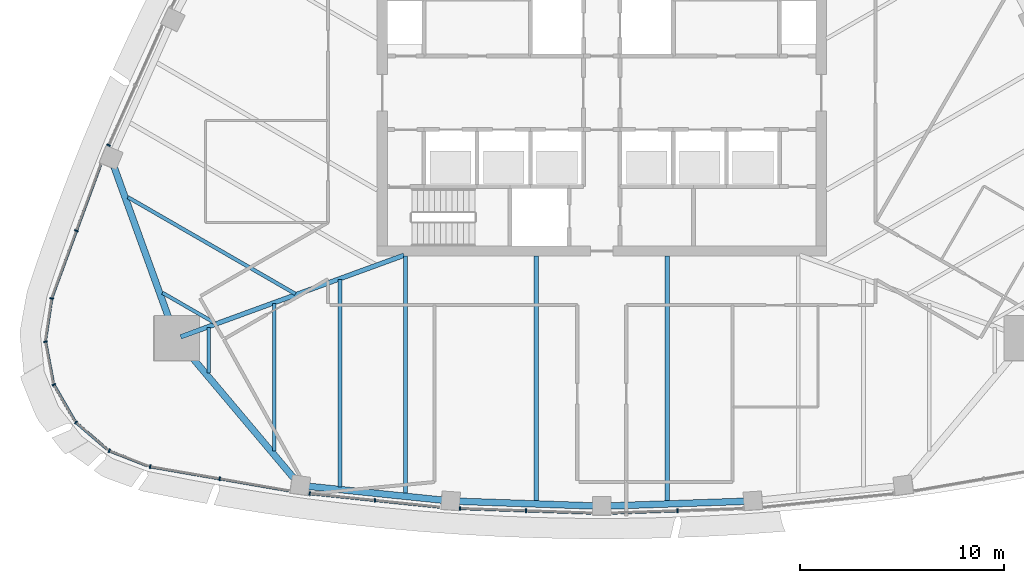
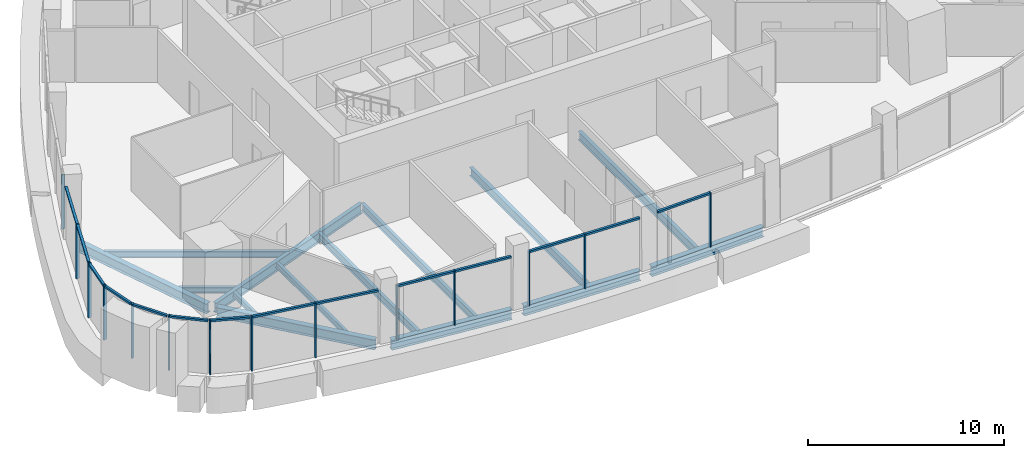
# One storey, part 2 of 15: 28 members, 14 beams, 11 elements without a shape of their own.
"""IFC4 building model written with IfcOpenShell, lengths in metres."""

from ifc_helpers import new_model, si_unit, direction, frame, origin, origin_2d, place, context, subcontext, project, spatial, rectangle, i_section, extrude, material, layer, layer_set, material_profile, profile_set, type_object, element, aggregate, save


model = new_model("IFC4")

# Units and contexts
model_context = context("Model", 3, precision=1e-05, world=origin(), true_north=direction((0.0, 1.0)))
body_context = subcontext(model_context, "Body", "Model", "MODEL_VIEW")
ifc_project = project(units=[si_unit("LENGTHUNIT", "METRE"), si_unit("AREAUNIT", "SQUARE_METRE"), si_unit("VOLUMEUNIT", "CUBIC_METRE"), si_unit("PLANEANGLEUNIT", "RADIAN"), si_unit("MASSUNIT", "GRAM", prefix="KILO")], contexts=[model_context])

# Site, building, storey
site_placement = place(None, origin())
site = spatial("IfcSite", under=ifc_project, at=site_placement, CompositionType="ELEMENT")
building_placement = place(site_placement, origin())
building = spatial("IfcBuilding", under=site, at=building_placement, Name="Sierra Prisma Convention Tower", CompositionType="ELEMENT")
storey_placement = place(building_placement, frame((0.0, 0.0, 283.0)))
storey = spatial("IfcBuildingStorey", under=building, at=storey_placement, Name="L64", CompositionType="ELEMENT", Elevation=283.0)

# Curtain wall, members
ifc_material_1 = material(Name="Aluminium and glass curtain wall", Category="aluminium")
ifc_layer = layer(ifc_material_1, 0.179931640625)
ifc_layer_set = layer_set([ifc_layer], Name="CW-1 Plain shaft curtain wall")
curtain_wall_type = type_object("IfcCurtainWallType", Name="CW-1 Plain shaft curtain wall", PredefinedType="NOTDEFINED", material=ifc_layer_set)
curtain_wall_1_placement = place(storey_placement, origin())
curtain_wall_1 = element("IfcCurtainWall", 1, at=curtain_wall_1_placement, inside=storey, type_object=curtain_wall_type, Name="CW-1 S1 L64", PredefinedType="NOTDEFINED")
ifc_material_2 = material(Name="Aluminium 6063-T6 bronze anodised", Category="aluminium")
ifc_material_profile_1 = material_profile(ifc_material_2, rectangle(XDim=0.179931640625, YDim=0.070068359375, at=origin_2d()), Name="ALU MULLION 70x180")
ifc_profile_set_1 = profile_set([ifc_material_profile_1], Name="Aluminium 6063-T6 bronze anodised")
member_type_1 = type_object("IfcMemberType", Name="CW mullion bronze", PredefinedType="MULLION", material=ifc_profile_set_1)
member_1_placement = place(storey_placement, frame((-22.121826171875, -18.311767578125, 0.0), z_axis=(0.0, 0.0, 1.0), x_axis=(0.171009278371, 0.985269418337, 0.0)))
member_1 = element("IfcMember", 2, at=member_1_placement, type_object=member_type_1, Name="CW-1 mullion S1.1", PredefinedType="MULLION", context=body_context, shape_type="SweptSolid", body=[
    extrude(rectangle(XDim=0.179931640625, YDim=0.070068359375, at=origin_2d()), origin(), (0.0, 0.0, 1.0), 3.39990234375),
])
member_2_placement = place(storey_placement, frame((-18.71435546875, -18.9033203125, 0.0), z_axis=(0.0, 0.0, 1.0), x_axis=(0.171009278371, 0.985269418337, 0.0)))
member_2 = element("IfcMember", 3, at=member_2_placement, type_object=member_type_1, Name="CW-1 mullion S1.2", PredefinedType="MULLION", context=body_context, shape_type="SweptSolid", body=[
    extrude(rectangle(XDim=0.179931640625, YDim=0.070068359375, at=origin_2d()), origin(), (0.0, 0.0, 1.0), 3.39990234375),
])

curtain_wall_2_placement = place(storey_placement, origin())
curtain_wall_2 = element("IfcCurtainWall", 4, at=curtain_wall_2_placement, inside=storey, type_object=curtain_wall_type, Name="CW-1 S2 L64", PredefinedType="NOTDEFINED")
member_3_placement = place(storey_placement, frame((-14.30322265625, -19.632080078125, 0.0), z_axis=(0.0, 0.0, 1.0), x_axis=(0.102929746941, 0.994688628262, 0.0)))
member_3 = element("IfcMember", 5, at=member_3_placement, type_object=member_type_1, Name="CW-1 mullion S2.1", PredefinedType="MULLION", context=body_context, shape_type="SweptSolid", body=[
    extrude(rectangle(XDim=0.179931640625, YDim=0.070068359375, at=origin_2d()), origin(), (0.0, 0.0, 1.0), 3.39990234375),
])
member_4_placement = place(storey_placement, frame((-11.10888671875, -19.962646484375, 0.0), z_axis=(0.0, 0.0, 1.0), x_axis=(0.102929746941, 0.994688628262, 0.0)))
member_4 = element("IfcMember", 6, at=member_4_placement, type_object=member_type_1, Name="CW-1 mullion S2.2", PredefinedType="MULLION", context=body_context, shape_type="SweptSolid", body=[
    extrude(rectangle(XDim=0.179931640625, YDim=0.070068359375, at=origin_2d()), origin(), (0.0, 0.0, 1.0), 3.39990234375),
])

curtain_wall_3_placement = place(storey_placement, origin())
curtain_wall_3 = element("IfcCurtainWall", 7, at=curtain_wall_3_placement, inside=storey, type_object=curtain_wall_type, Name="CW-1 S3 L64", PredefinedType="NOTDEFINED")
member_5_placement = place(storey_placement, frame((-6.935302734375, -20.360107421875, 0.0), z_axis=(0.0, 0.0, 1.0), x_axis=(0.034364022311, 0.999409382571, 0.0)))
member_5 = element("IfcMember", 8, at=member_5_placement, type_object=member_type_1, Name="CW-1 mullion S3.1", PredefinedType="MULLION", context=body_context, shape_type="SweptSolid", body=[
    extrude(rectangle(XDim=0.179931640625, YDim=0.070068359375, at=origin_2d()), origin(), (0.0, 0.0, 1.0), 3.39990234375),
])
member_6_placement = place(storey_placement, frame((-3.7099609375, -20.470947265625, 0.0), z_axis=(0.0, 0.0, 1.0), x_axis=(0.034364022311, 0.999409382571, 0.0)))
member_6 = element("IfcMember", 9, at=member_6_placement, type_object=member_type_1, Name="CW-1 mullion S3.2", PredefinedType="MULLION", context=body_context, shape_type="SweptSolid", body=[
    extrude(rectangle(XDim=0.179931640625, YDim=0.070068359375, at=origin_2d()), origin(), (0.0, 0.0, 1.0), 3.39990234375),
])

# Curtain wall, member
curtain_wall_4_placement = place(storey_placement, origin())
curtain_wall_4 = element("IfcCurtainWall", 10, at=curtain_wall_4_placement, inside=storey, type_object=curtain_wall_type, Name="CW-1 S4 L64", PredefinedType="NOTDEFINED")
member_7_placement = place(storey_placement, frame((3.7099609375, -20.470947265625, 0.0), z_axis=(0.0, 0.0, 1.0), x_axis=(-0.034364022311, 0.999409382571, 0.0)))
member_7 = element("IfcMember", 11, at=member_7_placement, type_object=member_type_1, Name="CW-1 mullion S4.2", PredefinedType="MULLION", context=body_context, shape_type="SweptSolid", body=[
    extrude(rectangle(XDim=0.179931640625, YDim=0.070068359375, at=origin_2d()), origin(), (0.0, 0.0, 1.0), 3.39990234375),
])

curtain_wall_5_placement = place(storey_placement, origin())
curtain_wall_5 = element("IfcCurtainWall", 12, at=curtain_wall_5_placement, inside=storey, type_object=curtain_wall_type, Name="CW-1 NW5 L64", PredefinedType="NOTDEFINED")
member_8_placement = place(storey_placement, frame((-24.153564453125, -2.571044921875, 0.0), z_axis=(0.0, 0.0, 1.0), x_axis=(0.912890494401, -0.408204538475, 0.0)))
member_8 = element("IfcMember", 13, at=member_8_placement, type_object=member_type_1, Name="CW-1 mullion NW5.3", PredefinedType="MULLION", context=body_context, shape_type="SweptSolid", body=[
    extrude(rectangle(XDim=0.179931640625, YDim=0.070068359375, at=origin_2d()), origin(), (0.0, 0.0, 1.0), 3.39990234375),
])
aggregate(curtain_wall_5, [member_8])

curtain_wall_6_placement = place(storey_placement, origin())
curtain_wall_6 = element("IfcCurtainWall", 14, at=curtain_wall_6_placement, inside=storey, type_object=curtain_wall_type, Name="CW-1 NW6 L64", PredefinedType="NOTDEFINED")
member_9_placement = place(storey_placement, frame((-25.72802734375, -6.755615234375, 0.0), z_axis=(0.0, 0.0, 1.0), x_axis=(0.938772985038, -0.344536329817, 0.0)))
member_9 = element("IfcMember", 15, at=member_9_placement, type_object=member_type_1, Name="CW-1 mullion NW6.2", PredefinedType="MULLION", context=body_context, shape_type="SweptSolid", body=[
    extrude(rectangle(XDim=0.179931640625, YDim=0.070068359375, at=origin_2d()), origin(), (0.0, 0.0, 1.0), 3.39990234375),
])

curtain_wall_7_placement = place(storey_placement, origin())
curtain_wall_7 = element("IfcCurtainWall", 16, at=curtain_wall_7_placement, inside=storey, type_object=curtain_wall_type, Name="CW-1 SW1 L64", PredefinedType="NOTDEFINED")
member_10_placement = place(storey_placement, frame((-26.936767578125, -10.069580078125, 0.0), z_axis=(0.0, 0.0, 1.0), x_axis=(0.988893362493, -0.148626772882, 0.0)))
member_10 = element("IfcMember", 17, at=member_10_placement, type_object=member_type_1, Name="CW-1 mullion SW1.1", PredefinedType="MULLION", context=body_context, shape_type="SweptSolid", body=[
    extrude(rectangle(XDim=0.179931640625, YDim=0.070068359375, at=origin_2d()), origin(), (0.0, 0.0, 1.0), 3.39990234375),
])

curtain_wall_8_placement = place(storey_placement, origin())
curtain_wall_8 = element("IfcCurtainWall", 18, at=curtain_wall_8_placement, inside=storey, type_object=curtain_wall_type, Name="CW-1 SW2 L64", PredefinedType="NOTDEFINED")
member_11_placement = place(storey_placement, frame((-27.243896484375, -12.190673828125, 0.0), z_axis=(0.0, 0.0, 1.0), x_axis=(0.982527394019, 0.186118027077, 0.0)))
member_11 = element("IfcMember", 19, at=member_11_placement, type_object=member_type_1, Name="CW-1 mullion SW2.1", PredefinedType="MULLION", context=body_context, shape_type="SweptSolid", body=[
    extrude(rectangle(XDim=0.179931640625, YDim=0.070068359375, at=origin_2d()), origin(), (0.0, 0.0, 1.0), 3.39990234375),
])

curtain_wall_9_placement = place(storey_placement, origin())
curtain_wall_9 = element("IfcCurtainWall", 20, at=curtain_wall_9_placement, inside=storey, type_object=curtain_wall_type, Name="CW-1 SW3 L64", PredefinedType="NOTDEFINED")
member_12_placement = place(storey_placement, frame((-26.83349609375, -14.294189453125, 0.0), z_axis=(0.0, 0.0, 1.0), x_axis=(0.866025403784, 0.5, 0.0)))
member_12 = element("IfcMember", 21, at=member_12_placement, type_object=member_type_1, Name="CW-1 mullion SW3.1", PredefinedType="MULLION", context=body_context, shape_type="SweptSolid", body=[
    extrude(rectangle(XDim=0.179931640625, YDim=0.070068359375, at=origin_2d()), origin(), (0.0, 0.0, 1.0), 3.39990234375),
])

curtain_wall_10_placement = place(storey_placement, origin())
curtain_wall_10 = element("IfcCurtainWall", 22, at=curtain_wall_10_placement, inside=storey, type_object=curtain_wall_type, Name="CW-1 SW4 L64", PredefinedType="NOTDEFINED")
member_13_placement = place(storey_placement, frame((-25.751953125, -16.14453125, 0.0), z_axis=(0.0, 0.0, 1.0), x_axis=(0.652446636561, 0.757834669595, 0.0)))
member_13 = element("IfcMember", 23, at=member_13_placement, type_object=member_type_1, Name="CW-1 mullion SW4.1", PredefinedType="MULLION", context=body_context, shape_type="SweptSolid", body=[
    extrude(rectangle(XDim=0.179931640625, YDim=0.070068359375, at=origin_2d()), origin(), (0.0, 0.0, 1.0), 3.39990234375),
])

curtain_wall_11_placement = place(storey_placement, origin())
curtain_wall_11 = element("IfcCurtainWall", 24, at=curtain_wall_11_placement, inside=storey, type_object=curtain_wall_type, Name="CW-1 SW5 L64", PredefinedType="NOTDEFINED")
member_14_placement = place(storey_placement, frame((-24.1201171875, -17.5341796875, 0.0), z_axis=(0.0, 0.0, 1.0), x_axis=(0.365732120249, 0.930720159994, 0.0)))
member_14 = element("IfcMember", 25, at=member_14_placement, type_object=member_type_1, Name="CW-1 mullion SW5.1", PredefinedType="MULLION", context=body_context, shape_type="SweptSolid", body=[
    extrude(rectangle(XDim=0.179931640625, YDim=0.070068359375, at=origin_2d()), origin(), (0.0, 0.0, 1.0), 3.39990234375),
])

# Member
ifc_material_3 = material(Name="Aluminium 6063-T6 bronze anodised", Category="aluminium")
ifc_material_profile_2 = material_profile(ifc_material_3, rectangle(XDim=0.139892578125, YDim=0.1201171875, at=origin_2d()), Name="ALU TRANSOM 120x140")
ifc_profile_set_2 = profile_set([ifc_material_profile_2], Name="Aluminium 6063-T6 bronze anodised")
member_type_2 = type_object("IfcMemberType", Name="CW transom bronze", PredefinedType="USERDEFINED", material=ifc_profile_set_2)
member_15_placement = place(storey_placement, frame((-22.08740234375, -18.31787109375, 3.340087890625), z_axis=(0.985273564925, -0.170985386103, 0.0), x_axis=(0.170985386103, 0.985273564925, 0.0)))
member_15 = element("IfcMember", 26, at=member_15_placement, type_object=member_type_2, Name="CW-1 transom S1.1", ObjectType="TRANSOM", PredefinedType="USERDEFINED", context=body_context, shape_type="SweptSolid", body=[
    extrude(rectangle(XDim=0.139892578125, YDim=0.1201171875, at=origin_2d()), origin(), (0.0, 0.0, 1.0), 3.38818359375),
])

member_16_placement = place(storey_placement, frame((-18.679931640625, -18.9091796875, 3.340087890625), z_axis=(0.985261423754, -0.171055332748, 0.0), x_axis=(0.171055332748, 0.985261423754, 0.0)))
member_16 = element("IfcMember", 27, at=member_16_placement, type_object=member_type_2, Name="CW-1 transom S1.2", ObjectType="TRANSOM", PredefinedType="USERDEFINED", context=body_context, shape_type="SweptSolid", body=[
    extrude(rectangle(XDim=0.139892578125, YDim=0.1201171875, at=origin_2d()), origin(), (0.0, 0.0, 1.0), 3.388427734375),
])

aggregate(curtain_wall_1, [member_1, member_2, member_15, member_16])

member_17_placement = place(storey_placement, frame((-14.268310546875, -19.635498046875, 3.340087890625), z_axis=(0.994683286753, -0.102981352942, 0.0), x_axis=(0.102981352942, 0.994683286753, 0.0)))
member_17 = element("IfcMember", 28, at=member_17_placement, type_object=member_type_2, Name="CW-1 transom S2.1", ObjectType="TRANSOM", PredefinedType="USERDEFINED", context=body_context, shape_type="SweptSolid", body=[
    extrude(rectangle(XDim=0.139892578125, YDim=0.1201171875, at=origin_2d()), origin(), (0.0, 0.0, 1.0), 3.14111328125),
])

member_18_placement = place(storey_placement, frame((-11.07421875, -19.966064453125, 3.340087890625), z_axis=(0.994684110909, -0.102973392215, 0.0), x_axis=(0.102973392215, 0.994684110909, 0.0)))
member_18 = element("IfcMember", 29, at=member_18_placement, type_object=member_type_2, Name="CW-1 transom S2.2", ObjectType="TRANSOM", PredefinedType="USERDEFINED", context=body_context, shape_type="SweptSolid", body=[
    extrude(rectangle(XDim=0.139892578125, YDim=0.1201171875, at=origin_2d()), origin(), (0.0, 0.0, 1.0), 3.141357421875),
])

aggregate(curtain_wall_2, [member_3, member_4, member_17, member_18])

member_19_placement = place(storey_placement, frame((-6.900390625, -20.361328125, 3.340087890625), z_axis=(0.999410490677, -0.034331780105, 0.0), x_axis=(0.034331780105, 0.999410490677, 0.0)))
member_19 = element("IfcMember", 30, at=member_19_placement, type_object=member_type_2, Name="CW-1 transom S3.1", ObjectType="TRANSOM", PredefinedType="USERDEFINED", context=body_context, shape_type="SweptSolid", body=[
    extrude(rectangle(XDim=0.139892578125, YDim=0.1201171875, at=origin_2d()), origin(), (0.0, 0.0, 1.0), 3.157470703125),
])

member_20_placement = place(storey_placement, frame((-3.675048828125, -20.47216796875, 3.340087890625), z_axis=(0.99940774304, -0.034411671747, 0.0), x_axis=(0.034411671747, 0.99940774304, 0.0)))
member_20 = element("IfcMember", 31, at=member_20_placement, type_object=member_type_2, Name="CW-1 transom S3.2", ObjectType="TRANSOM", PredefinedType="USERDEFINED", context=body_context, shape_type="SweptSolid", body=[
    extrude(rectangle(XDim=0.139892578125, YDim=0.1201171875, at=origin_2d()), origin(), (0.0, 0.0, 1.0), 3.1572265625),
])

aggregate(curtain_wall_3, [member_5, member_6, member_19, member_20])

member_21_placement = place(storey_placement, frame((0.519775390625, -20.580810546875, 3.340087890625), z_axis=(0.99940774304, 0.034411671747, 0.0), x_axis=(-0.034411671747, 0.99940774304, 0.0)))
member_21 = element("IfcMember", 32, at=member_21_placement, type_object=member_type_2, Name="CW-1 transom S4.1", ObjectType="TRANSOM", PredefinedType="USERDEFINED", context=body_context, shape_type="SweptSolid", body=[
    extrude(rectangle(XDim=0.139892578125, YDim=0.1201171875, at=origin_2d()), origin(), (0.0, 0.0, 1.0), 3.1572265625),
])

aggregate(curtain_wall_4, [member_7, member_21])

member_22_placement = place(storey_placement, frame((-24.548583984375, -3.5419921875, 3.340087890625), z_axis=(-0.344512946681, -0.938781566484, 0.0), x_axis=(0.938781566484, -0.344512946681, 0.0)))
member_22 = element("IfcMember", 33, at=member_22_placement, type_object=member_type_2, Name="CW-1 transom NW6.1", ObjectType="TRANSOM", PredefinedType="USERDEFINED", context=body_context, shape_type="SweptSolid", body=[
    extrude(rectangle(XDim=0.139892578125, YDim=0.1201171875, at=origin_2d()), origin(), (0.0, 0.0, 1.0), 3.38818359375),
])

member_23_placement = place(storey_placement, frame((-25.739990234375, -6.788330078125, 3.340087890625), z_axis=(-0.344553143398, -0.938766814164, 0.0), x_axis=(0.938766814164, -0.344553143398, 0.0)))
member_23 = element("IfcMember", 34, at=member_23_placement, type_object=member_type_2, Name="CW-1 transom NW6.2", ObjectType="TRANSOM", PredefinedType="USERDEFINED", context=body_context, shape_type="SweptSolid", body=[
    extrude(rectangle(XDim=0.139892578125, YDim=0.1201171875, at=origin_2d()), origin(), (0.0, 0.0, 1.0), 3.388427734375),
])

aggregate(curtain_wall_6, [member_9, member_22, member_23])

member_24_placement = place(storey_placement, frame((-26.94189453125, -10.104248046875, 3.340087890625), z_axis=(-0.148661947775, -0.988888075206, 0.0), x_axis=(0.988888075206, -0.148661947775, 0.0)))
member_24 = element("IfcMember", 35, at=member_24_placement, type_object=member_type_2, Name="CW-1 transom SW1.1", ObjectType="TRANSOM", PredefinedType="USERDEFINED", context=body_context, shape_type="SweptSolid", body=[
    extrude(rectangle(XDim=0.139892578125, YDim=0.1201171875, at=origin_2d()), origin(), (0.0, 0.0, 1.0), 2.005126953125),
])

aggregate(curtain_wall_7, [member_10, member_24])

member_25_placement = place(storey_placement, frame((-27.2373046875, -12.22509765625, 3.340087890625), z_axis=(0.186177608827, -0.982516105706, 0.0), x_axis=(0.982516105706, 0.186177608827, 0.0)))
member_25 = element("IfcMember", 36, at=member_25_placement, type_object=member_type_2, Name="CW-1 transom SW2.1", ObjectType="TRANSOM", PredefinedType="USERDEFINED", context=body_context, shape_type="SweptSolid", body=[
    extrude(rectangle(XDim=0.139892578125, YDim=0.1201171875, at=origin_2d()), origin(), (0.0, 0.0, 1.0), 2.005126953125),
])

aggregate(curtain_wall_8, [member_11, member_25])

member_26_placement = place(storey_placement, frame((-26.816162109375, -14.324462890625, 3.340087890625), z_axis=(0.500028081597, -0.86600919026, 0.0), x_axis=(0.86600919026, 0.500028081597, 0.0)))
member_26 = element("IfcMember", 37, at=member_26_placement, type_object=member_type_2, Name="CW-1 transom SW3.1", ObjectType="TRANSOM", PredefinedType="USERDEFINED", context=body_context, shape_type="SweptSolid", body=[
    extrude(rectangle(XDim=0.139892578125, YDim=0.1201171875, at=origin_2d()), origin(), (0.0, 0.0, 1.0), 2.00537109375),
])

aggregate(curtain_wall_9, [member_12, member_26])

member_27_placement = place(storey_placement, frame((-25.725341796875, -16.16748046875, 3.340087890625), z_axis=(0.757862451273, -0.65241436599, 0.0), x_axis=(0.65241436599, 0.757862451273, 0.0)))
member_27 = element("IfcMember", 38, at=member_27_placement, type_object=member_type_2, Name="CW-1 transom SW4.1", ObjectType="TRANSOM", PredefinedType="USERDEFINED", context=body_context, shape_type="SweptSolid", body=[
    extrude(rectangle(XDim=0.139892578125, YDim=0.1201171875, at=origin_2d()), origin(), (0.0, 0.0, 1.0), 2.005126953125),
])

aggregate(curtain_wall_10, [member_13, member_27])

member_28_placement = place(storey_placement, frame((-24.087646484375, -17.546875, 3.340087890625), z_axis=(0.930710049743, -0.36575784791, 0.0), x_axis=(0.36575784791, 0.930710049743, 0.0)))
member_28 = element("IfcMember", 39, at=member_28_placement, type_object=member_type_2, Name="CW-1 transom SW5.1", ObjectType="TRANSOM", PredefinedType="USERDEFINED", context=body_context, shape_type="SweptSolid", body=[
    extrude(rectangle(XDim=0.139892578125, YDim=0.1201171875, at=origin_2d()), origin(), (0.0, 0.0, 1.0), 2.005126953125),
])

aggregate(curtain_wall_11, [member_14, member_28])

# Beams
ifc_material_4 = material(Name="Steel ASTM A992 Gr 50", Category="steel")
ifc_material_profile_3 = material_profile(ifc_material_4, i_section(OverallWidth=0.172119140625, OverallDepth=0.35791015625, WebThickness=0.0078125, FlangeThickness=0.01318359375, at=origin_2d()), Name="W360x57")
ifc_profile_set_3 = profile_set([ifc_material_profile_3], Name="Steel ASTM A992 Gr 50")
beam_type_1 = type_object("IfcBeamType", Name="Floor joist W360x57", PredefinedType="JOIST", material=ifc_profile_set_3)
beam_1_placement = place(storey_placement, frame((-19.240966796875, -13.7353515625, -0.3291015625), z_axis=(0.0, 1.0, 0.0), x_axis=(-1.0, 0.0, 0.0)))
element("IfcBeam", 40, at=beam_1_placement, inside=storey, type_object=beam_type_1, Name="Floor joist L64 S01", PredefinedType="JOIST", context=body_context, shape_type="SweptSolid", body=[
    extrude(i_section(OverallWidth=0.172119140625, OverallDepth=0.35791015625, WebThickness=0.0078125, FlangeThickness=0.01318359375, at=origin_2d()), origin(), (0.0, 0.0, 1.0), 2.237548828125),
])
beam_2_placement = place(storey_placement, frame((-16.0341796875, -17.541748046875, -0.3291015625), z_axis=(0.0, 1.0, 0.0), x_axis=(-1.0, 0.0, 0.0)))
element("IfcBeam", 41, at=beam_2_placement, inside=storey, type_object=beam_type_1, Name="Floor joist L64 S02", PredefinedType="JOIST", context=body_context, shape_type="SweptSolid", body=[
    extrude(i_section(OverallWidth=0.172119140625, OverallDepth=0.35791015625, WebThickness=0.0078125, FlangeThickness=0.01318359375, at=origin_2d()), origin(), (0.0, 0.0, 1.0), 7.215576171875),
])
beam_3_placement = place(storey_placement, frame((-21.515625, -9.79541015625, -0.3291015625), z_axis=(0.866008413041, -0.500029427677, 0.0), x_axis=(0.500029427677, 0.866008413041, 0.0)))
element("IfcBeam", 42, at=beam_3_placement, inside=storey, type_object=beam_type_1, Name="Floor joist L64 NW13", PredefinedType="JOIST", context=body_context, shape_type="SweptSolid", body=[
    extrude(i_section(OverallWidth=0.172119140625, OverallDepth=0.35791015625, WebThickness=0.0078125, FlangeThickness=0.01318359375, at=origin_2d()), origin(), (0.0, 0.0, 1.0), 2.983154296875),
])
ifc_material_5 = material(Name="Steel ASTM A992 Gr 50", Category="steel")
ifc_material_profile_4 = material_profile(ifc_material_5, i_section(OverallWidth=0.177978515625, OverallDepth=0.406982421875, WebThickness=0.0078125, FlangeThickness=0.0126953125, at=origin_2d()), Name="W410x60")
ifc_profile_set_4 = profile_set([ifc_material_profile_4], Name="Steel ASTM A992 Gr 50")
beam_type_2 = type_object("IfcBeamType", Name="Floor joist W410x60", PredefinedType="JOIST", material=ifc_profile_set_4)
beam_4_placement = place(storey_placement, frame((-23.20849609375, -5.114990234375, -0.353515625), z_axis=(0.8660190784, -0.500010955728, 0.0), x_axis=(0.500010955728, 0.8660190784, 0.0)))
element("IfcBeam", 43, at=beam_4_placement, inside=storey, type_object=beam_type_2, Name="Floor joist L64 NW12", PredefinedType="JOIST", context=body_context, shape_type="SweptSolid", body=[
    extrude(i_section(OverallWidth=0.177978515625, OverallDepth=0.406982421875, WebThickness=0.0078125, FlangeThickness=0.0126953125, at=origin_2d()), origin(), (0.0, 0.0, 1.0), 9.473876953125),
])
ifc_material_6 = material(Name="Steel ASTM A992 Gr 50", Category="steel")
ifc_material_profile_5 = material_profile(ifc_material_6, i_section(OverallWidth=0.18994140625, OverallDepth=0.45703125, WebThickness=0.009033203125, FlangeThickness=0.014404296875, at=origin_2d()), Name="W460x74")
ifc_profile_set_5 = profile_set([ifc_material_profile_5], Name="Steel ASTM A992 Gr 50")
beam_type_3 = type_object("IfcBeamType", Name="Floor joist W460x74", PredefinedType="JOIST", material=ifc_profile_set_5)
beam_5_placement = place(storey_placement, frame((-12.827392578125, -19.31982421875, -0.37841796875), z_axis=(0.0, 1.0, 0.0), x_axis=(-1.0, 0.0, 0.0)))
element("IfcBeam", 44, at=beam_5_placement, inside=storey, type_object=beam_type_3, Name="Floor joist L64 S03", PredefinedType="JOIST", context=body_context, shape_type="SweptSolid", body=[
    extrude(i_section(OverallWidth=0.18994140625, OverallDepth=0.45703125, WebThickness=0.009033203125, FlangeThickness=0.014404296875, at=origin_2d()), origin(), (0.0, 0.0, 1.0), 10.1650390625),
])
beam_6_placement = place(storey_placement, frame((-9.620361328125, -19.651611328125, -0.37841796875), z_axis=(0.0, 1.0, 0.0), x_axis=(-1.0, 0.0, 0.0)))
element("IfcBeam", 45, at=beam_6_placement, inside=storey, type_object=beam_type_3, Name="Floor joist L64 S04", PredefinedType="JOIST", context=body_context, shape_type="SweptSolid", body=[
    extrude(i_section(OverallWidth=0.18994140625, OverallDepth=0.45703125, WebThickness=0.009033203125, FlangeThickness=0.014404296875, at=origin_2d()), origin(), (0.0, 0.0, 1.0), 11.651611328125),
])
ifc_material_7 = material(Name="Steel ASTM A992 Gr 50", Category="steel")
ifc_material_profile_6 = material_profile(ifc_material_7, i_section(OverallWidth=0.208984375, OverallDepth=0.532958984375, WebThickness=0.01025390625, FlangeThickness=0.015625, at=origin_2d()), Name="W530x92")
ifc_profile_set_6 = profile_set([ifc_material_profile_6], Name="Steel ASTM A992 Gr 50")
beam_type_4 = type_object("IfcBeamType", Name="Floor joist W530x92", PredefinedType="JOIST", material=ifc_profile_set_6)
for number, where, z_axis, x_axis, name in (
    (46, (-3.206787109375, -20.025634765625, -0.41650390625), (0.0, 1.0, 0.0), (-1.0, 0.0, 0.0), "Floor joist L64 S06"),
    (47, (3.206787109375, -20.025634765625, -0.41650390625), (0.0, 1.0, 0.0), (-1.0, 0.0, 0.0), "Floor joist L64 S08"),
):
    element("IfcBeam", number, at=place(storey_placement, frame(where, z_axis=z_axis, x_axis=x_axis)), inside=storey, type_object=beam_type_4, Name=name, PredefinedType="JOIST", context=body_context, shape_type="SweptSolid", body=[
        extrude(i_section(OverallWidth=0.208984375, OverallDepth=0.532958984375, WebThickness=0.01025390625, FlangeThickness=0.015625, at=origin_2d()), origin(), (0.0, 0.0, 1.0), 12.025634765625),
    ])
ifc_material_8 = material(Name="Steel ASTM A992 Gr 50", Category="steel")
ifc_material_profile_7 = material_profile(ifc_material_8, i_section(OverallWidth=0.22998046875, OverallDepth=0.616943359375, WebThickness=0.01318359375, FlangeThickness=0.022216796875, at=origin_2d()), Name="W610x140")
ifc_profile_set_7 = profile_set([ifc_material_profile_7], Name="Steel ASTM A992 Gr 50")
beam_type_5 = type_object("IfcBeamType", Name="Radial girder W610x140", PredefinedType="BEAM", material=ifc_profile_set_7)
beam_7_placement = place(storey_placement, frame((-20.624267578125, -11.9541015625, -0.45849609375), z_axis=(0.939288577212, 0.343128210323, 0.0), x_axis=(-0.343128210323, 0.939288577212, 0.0)))
element("IfcBeam", 48, at=beam_7_placement, inside=storey, type_object=beam_type_5, Name="Radial girder L64 SW", PredefinedType="BEAM", context=body_context, shape_type="SweptSolid", body=[
    extrude(i_section(OverallWidth=0.22998046875, OverallDepth=0.616943359375, WebThickness=0.01318359375, FlangeThickness=0.022216796875, at=origin_2d()), origin(), (0.0, 0.0, 1.0), 11.64404296875),
])
ifc_material_9 = material(Name="Steel ASTM A992 Gr 50", Category="steel")
ifc_material_profile_8 = material_profile(ifc_material_9, i_section(OverallWidth=0.324951171875, OverallDepth=0.615966796875, WebThickness=0.013916015625, FlangeThickness=0.021484375, at=origin_2d()), Name="W610x174")
ifc_profile_set_8 = profile_set([ifc_material_profile_8], Name="Steel ASTM A992 Gr 50")
beam_type_6 = type_object("IfcBeamType", Name="Spandrel beam W610x174", PredefinedType="BEAM", material=ifc_profile_set_8)
beam_8_placement = place(storey_placement, frame((-20.658935546875, -12.25439453125, -0.4580078125), z_axis=(0.644298509187, -0.764774104595, 0.0), x_axis=(0.764774104595, 0.644298509187, 0.0)))
element("IfcBeam", 49, at=beam_8_placement, inside=storey, type_object=beam_type_6, Name="Spandrel L64-01", PredefinedType="BEAM", context=body_context, shape_type="SweptSolid", body=[
    extrude(i_section(OverallWidth=0.324951171875, OverallDepth=0.615966796875, WebThickness=0.013916015625, FlangeThickness=0.021484375, at=origin_2d()), origin(), (0.0, 0.0, 1.0), 8.63671875),
])
beam_9_placement = place(storey_placement, frame((-14.452880859375, -19.264892578125, -0.4580078125), z_axis=(0.994691283356, -0.102904085512, 0.0), x_axis=(0.102904085512, 0.994691283356, 0.0)))
element("IfcBeam", 50, at=beam_9_placement, inside=storey, type_object=beam_type_6, Name="Spandrel L64-02", PredefinedType="BEAM", context=body_context, shape_type="SweptSolid", body=[
    extrude(i_section(OverallWidth=0.324951171875, OverallDepth=0.615966796875, WebThickness=0.013916015625, FlangeThickness=0.021484375, at=origin_2d()), origin(), (0.0, 0.0, 1.0), 6.752197265625),
])
for number, where, z_axis, x_axis, name in (
    (51, (-7.078125, -20.005126953125, -0.4580078125), (0.999408615993, -0.034386309472, 0.0), (0.034386309472, 0.999408615993, 0.0), "Spandrel L64-03"),
    (52, (0.330078125, -20.2373046875, -0.4580078125), (0.999408615993, 0.034386309472, 0.0), (-0.034386309472, 0.999408615993, 0.0), "Spandrel L64-04"),
):
    element("IfcBeam", number, at=place(storey_placement, frame(where, z_axis=z_axis, x_axis=x_axis)), inside=storey, type_object=beam_type_6, Name=name, PredefinedType="BEAM", context=body_context, shape_type="SweptSolid", body=[
        extrude(i_section(OverallWidth=0.324951171875, OverallDepth=0.615966796875, WebThickness=0.013916015625, FlangeThickness=0.021484375, at=origin_2d()), origin(), (0.0, 0.0, 1.0), 6.751953125),
    ])
beam_10_placement = place(storey_placement, frame((-23.8798828125, -3.64208984375, -0.4580078125), z_axis=(0.340145595795, -0.940372784411, 0.0), x_axis=(0.940372784411, 0.340145595795, 0.0)))
element("IfcBeam", 53, at=beam_10_placement, inside=storey, type_object=beam_type_6, Name="Spandrel L64-18", PredefinedType="BEAM", context=body_context, shape_type="SweptSolid", body=[
    extrude(i_section(OverallWidth=0.324951171875, OverallDepth=0.615966796875, WebThickness=0.013916015625, FlangeThickness=0.021484375, at=origin_2d()), origin(), (0.0, 0.0, 1.0), 8.690673828125),
])

save(model, "model.ifc")
